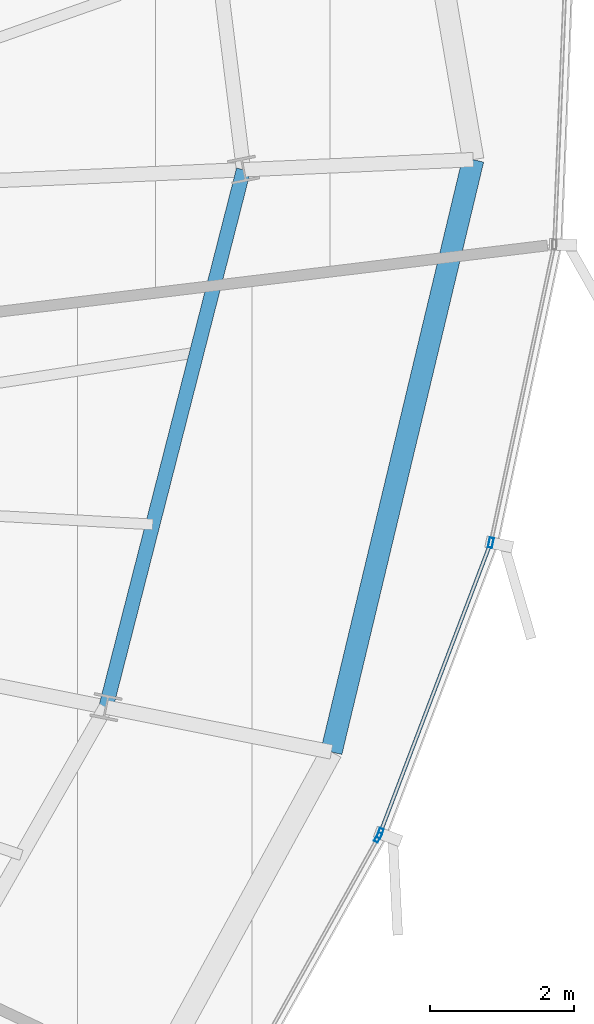
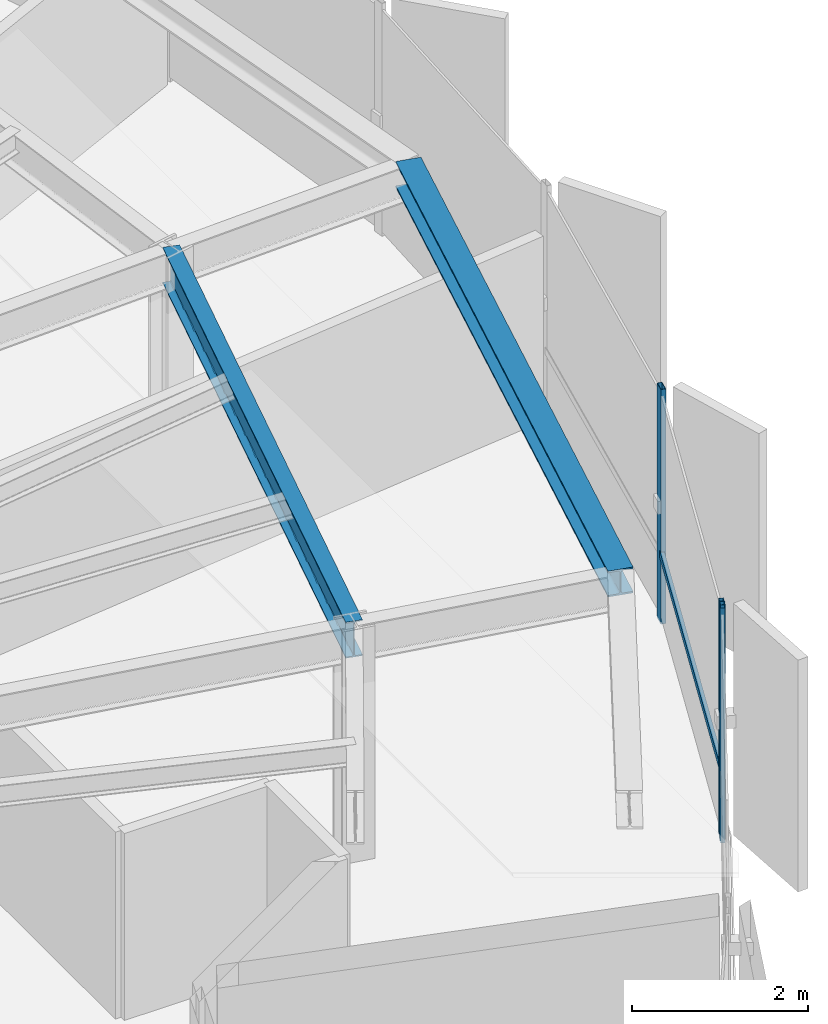
# One storey, part 18 of 36: 4 members, 2 beams, 2 elements without a shape of their own.
"""IFC4 building model written with IfcOpenShell, lengths in metres."""

from ifc_helpers import new_model, si_unit, direction, frame, origin, origin_2d, place, context, subcontext, project, spatial, hollow_rectangle, i_section, extrude, source, transform, mapped, material, layer, layer_set, material_profile, profile_set, type_object, element, aggregate, save


model = new_model("IFC4")

# Units and contexts
model_context = context("Model", 3, precision=1e-05, world=origin(), true_north=direction((0.0, 1.0)))
body_context = subcontext(model_context, "Body", "Model", "MODEL_VIEW")
ifc_project = project(units=[si_unit("LENGTHUNIT", "METRE"), si_unit("AREAUNIT", "SQUARE_METRE"), si_unit("VOLUMEUNIT", "CUBIC_METRE"), si_unit("PLANEANGLEUNIT", "RADIAN"), si_unit("MASSUNIT", "GRAM", prefix="KILO"), si_unit("THERMODYNAMICTEMPERATUREUNIT", "KELVIN")], contexts=[model_context])

# Site, building, storey
site_placement = place(None, origin())
site = spatial("IfcSite", under=ifc_project, at=site_placement, CompositionType="ELEMENT")
building_placement = place(site_placement, origin())
building = spatial("IfcBuilding", under=site, at=building_placement, Name="Kethvar Cultural Tower", CompositionType="ELEMENT")
storey_placement = place(building_placement, frame((0.0, 0.0, 197.39990234375)))
storey = spatial("IfcBuildingStorey", under=building, at=storey_placement, Name="L51", CompositionType="ELEMENT", Elevation=197.39990234375)

# Beams
ifc_material_1 = material(Name="Steel S355J2", Category="steel")
ifc_material_profile_1 = material_profile(ifc_material_1, i_section(OverallWidth=0.199951171875, OverallDepth=0.5, WebThickness=0.01025390625, FlangeThickness=0.01611328125, FilletRadius=0.02099609375, at=origin_2d()), Name="Steel S355J2 — IPE500")
ifc_profile_set_1 = profile_set([ifc_material_profile_1], Name="Steel S355J2 — IPE500")
beam_type_1 = type_object("IfcBeamType", Name="BM-IPE500", PredefinedType="BEAM", material=ifc_profile_set_1)
shared_shape_1 = source(origin(), body_context, "Body", "SweptSolid", [
    extrude(i_section(OverallWidth=0.199951171875, OverallDepth=0.5, WebThickness=0.01025390625, FlangeThickness=0.01611328125, FilletRadius=0.02099609375, at=origin_2d()), origin(), (0.0, 0.0, 1.0), 7.72265625),
])
beam_1_placement = place(storey_placement, frame((64.648681640625, 24.249755859375, 3.008056640625), z_axis=(0.248006445258, 0.968758382214, 0.0), x_axis=(-0.968758382214, 0.248006445258, 0.0)))
element("IfcBeam", 1, at=beam_1_placement, inside=storey, type_object=beam_type_1, Name="L51 Column Ring Tie Beam CR-16", PredefinedType="BEAM", context=body_context, shape_type="MappedRepresentation", body=[
    mapped(shared_shape_1, transform((0.0, 0.0, 0.0), scale=1.0)),
])
ifc_material_profile_2 = material_profile(ifc_material_1, i_section(OverallWidth=0.300048828125, OverallDepth=0.360107421875, WebThickness=0.012451171875, FlangeThickness=0.0224609375, FilletRadius=0.027099609375, at=origin_2d()), Name="Steel S355J2 — HEB360")
ifc_profile_set_2 = profile_set([ifc_material_profile_2], Name="Steel S355J2 — HEB360")
beam_type_2 = type_object("IfcBeamType", Name="BM-SP360", PredefinedType="SPANDREL", material=ifc_profile_set_2)
shared_shape_2 = source(origin(), body_context, "Body", "SweptSolid", [
    extrude(i_section(OverallWidth=0.300048828125, OverallDepth=0.360107421875, WebThickness=0.012451171875, FlangeThickness=0.0224609375, FilletRadius=0.027099609375, at=origin_2d()), origin(), (0.0, 0.0, 1.0), 8.47900390625),
])
beam_2_placement = place(storey_placement, frame((67.787109375, 23.62548828125, 3.078125), z_axis=(0.232794647368, 0.97252591336, 0.0), x_axis=(-0.97252591336, 0.232794647368, 0.0)))
element("IfcBeam", 2, at=beam_2_placement, inside=storey, type_object=beam_type_2, Name="L51 Perimeter Spandrel Beam SP-16", PredefinedType="SPANDREL", context=body_context, shape_type="MappedRepresentation", body=[
    mapped(shared_shape_2, transform((0.0, 0.0, 0.0), scale=1.0)),
])

# Curtain wall, member
ifc_material_2 = material(Name="Aluminium 6063-T6", Category="aluminium")
ifc_layer = layer(ifc_material_2, 0.179931640625, Name="Aluminium 6063-T6", Category="aluminium")
ifc_layer_set = layer_set([ifc_layer], Name="Aluminium 6063-T6 (180 mm)")
curtain_wall_type = type_object("IfcCurtainWallType", Name="CW-SYS-04-Z34", PredefinedType="NOTDEFINED", material=ifc_layer_set)
curtain_wall_1_placement = place(storey_placement, origin())
curtain_wall_1 = element("IfcCurtainWall", 3, at=curtain_wall_1_placement, inside=storey, type_object=curtain_wall_type, Name="L51 Curtain Wall Run 05", PredefinedType="NOTDEFINED")
ifc_material_profile_3 = material_profile(ifc_material_2, hollow_rectangle(XDim=0.06005859375, YDim=0.139892578125, WallThickness=0.0048828125, at=origin_2d()), Name="Aluminium 6063-T6 — RHS140x60x5")
ifc_profile_set_3 = profile_set([ifc_material_profile_3], Name="Aluminium 6063-T6 — RHS140x60x5")
member_type_1 = type_object("IfcMemberType", Name="CW-SYS-04-Z34-MUL", PredefinedType="MULLION", material=ifc_profile_set_3)
shared_shape_3 = source(origin(), body_context, "Body", "SweptSolid", [
    extrude(hollow_rectangle(XDim=0.06005859375, YDim=0.139892578125, WallThickness=0.0048828125, at=origin_2d()), origin(), (0.0, 0.0, 1.0), 3.260009765625),
])
member_1_placement = place(storey_placement, frame((68.43798828125, 22.43603515625, 0.0), z_axis=(0.0, 0.0, 1.0), x_axis=(-0.873117846351, 0.48750920646, 0.0)))
member_1 = element("IfcMember", 4, at=member_1_placement, type_object=member_type_1, Name="CW-L51-R05 Mullion 7", PredefinedType="MULLION", context=body_context, shape_type="MappedRepresentation", body=[
    mapped(shared_shape_3, transform((0.0, 0.0, 0.0), scale=1.0)),
])
aggregate(curtain_wall_1, [member_1])

# Curtain wall, members
curtain_wall_2_placement = place(storey_placement, origin())
curtain_wall_2 = element("IfcCurtainWall", 5, at=curtain_wall_2_placement, inside=storey, type_object=curtain_wall_type, Name="L51 Curtain Wall Run 06", PredefinedType="NOTDEFINED")
member_2_placement = place(storey_placement, frame((68.46435546875, 22.4921875, 0.0), z_axis=(0.0, 0.0, 1.0), x_axis=(-0.934527854669, 0.35588999543, 0.0)))
member_2 = element("IfcMember", 6, at=member_2_placement, type_object=member_type_1, Name="CW-L51-R06 Mullion 1", PredefinedType="MULLION", context=body_context, shape_type="MappedRepresentation", body=[
    mapped(shared_shape_3, transform((0.0, 0.0, 0.0), scale=1.0)),
])
member_3_placement = place(storey_placement, frame((70.007080078125, 26.539306640625, 0.0), z_axis=(0.0, 0.0, 1.0), x_axis=(-0.978067696271, 0.208287257198, 0.0)))
member_3 = element("IfcMember", 7, at=member_3_placement, type_object=member_type_1, Name="CW-L51-R06 Mullion 2", PredefinedType="MULLION", context=body_context, shape_type="MappedRepresentation", body=[
    mapped(shared_shape_3, transform((0.0, 0.0, 0.0), scale=1.0)),
])
ifc_material_profile_4 = material_profile(ifc_material_2, hollow_rectangle(XDim=0.050048828125, YDim=0.10009765625, WallThickness=0.00390625, at=origin_2d()), Name="Aluminium 6063-T6 — RHS100x50x4")
ifc_profile_set_4 = profile_set([ifc_material_profile_4], Name="Aluminium 6063-T6 — RHS100x50x4")
member_type_2 = type_object("IfcMemberType", Name="CW-SYS-04-Z34-TRN", PredefinedType="USERDEFINED", material=ifc_profile_set_4)
shared_shape_4 = source(origin(), body_context, "Body", "SweptSolid", [
    extrude(hollow_rectangle(XDim=0.050048828125, YDim=0.10009765625, WallThickness=0.00390625, at=origin_2d()), origin(), (0.0, 0.0, 1.0), 4.30078125),
])
member_4_placement = place(storey_placement, frame((68.4658203125, 22.49609375, 0.9501953125), z_axis=(0.355865493212, 0.934537185317, 0.0), x_axis=(-0.934537185317, 0.355865493212, 0.0)))
member_4 = element("IfcMember", 8, at=member_4_placement, type_object=member_type_2, Name="CW-L51-R06 Transom 1", ObjectType="TRANSOM", PredefinedType="USERDEFINED", context=body_context, shape_type="MappedRepresentation", body=[
    mapped(shared_shape_4, transform((0.0, 0.0, 0.0), scale=1.0)),
])
aggregate(curtain_wall_2, [member_2, member_3, member_4])

save(model, "model.ifc")
